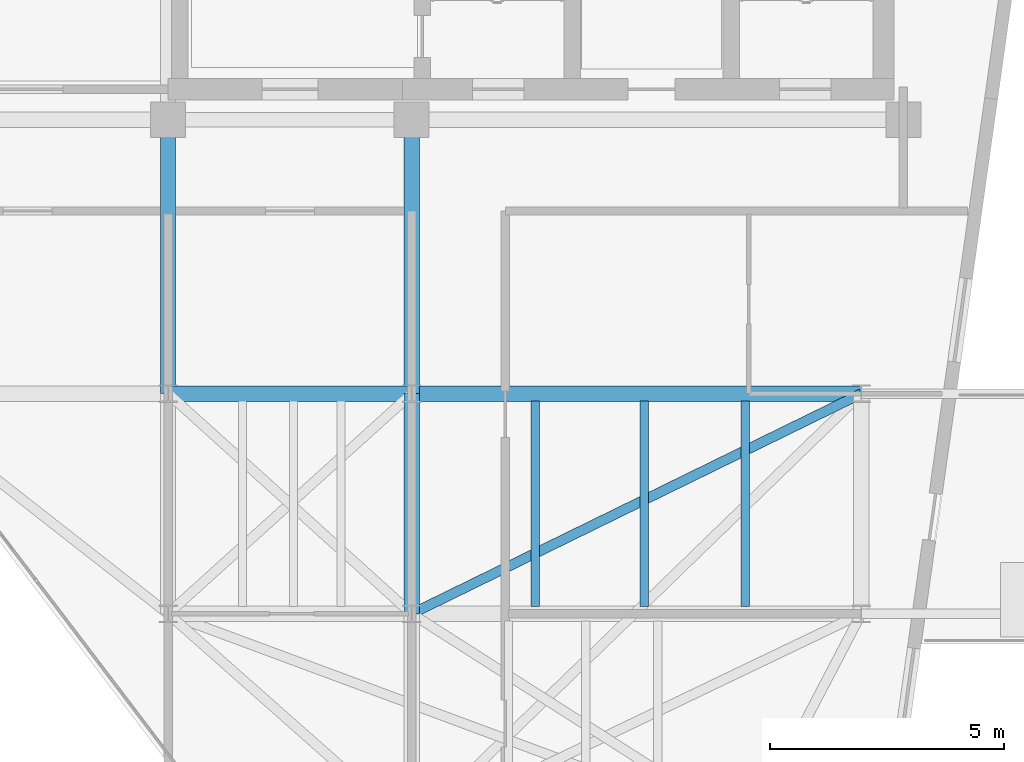
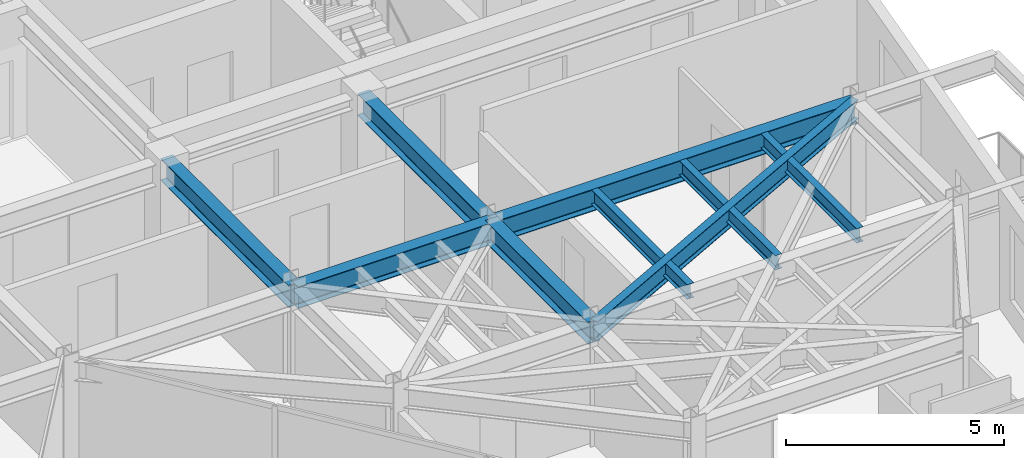
# One storey, part 9 of 17: 9 beams.
"""IFC4 building model written with IfcOpenShell, lengths in metres."""

from ifc_helpers import new_model, si_unit, direction, frame, origin, origin_2d, place, context, subcontext, project, spatial, i_section, extrude, material, material_profile, profile_set, type_object, element, save


model = new_model("IFC4")

# Units and contexts
model_context = context("Model", 3, precision=1e-05, world=origin(), true_north=direction((0.0, 1.0)))
body_context = subcontext(model_context, "Body", "Model", "MODEL_VIEW")
ifc_project = project(units=[si_unit("LENGTHUNIT", "METRE"), si_unit("AREAUNIT", "SQUARE_METRE"), si_unit("VOLUMEUNIT", "CUBIC_METRE"), si_unit("PLANEANGLEUNIT", "RADIAN"), si_unit("MASSUNIT", "GRAM", prefix="KILO")], contexts=[model_context])

# Site, building, storey
site_placement = place(None, origin())
site = spatial("IfcSite", under=ifc_project, at=site_placement, CompositionType="ELEMENT")
building_placement = place(site_placement, origin())
building = spatial("IfcBuilding", under=site, at=building_placement, Name="Kravanh Interchange Tower", CompositionType="ELEMENT")
storey_placement = place(building_placement, frame((0.0, 0.0, 285.89990234375)))
storey = spatial("IfcBuildingStorey", under=building, at=storey_placement, Name="L70", CompositionType="ELEMENT", Elevation=285.89990234375)

# Beams
ifc_material_1 = material(Name="Structural Steel S355", Category="steel")
ifc_material_profile_1 = material_profile(ifc_material_1, i_section(OverallWidth=0.323974609375, OverallDepth=0.611083984375, WebThickness=0.0126953125, FlangeThickness=0.01904296875, FilletRadius=0.02197265625, at=origin_2d()), Name="W24X104")
ifc_profile_set_1 = profile_set([ifc_material_profile_1], Name="Structural Steel S355")
beam_type_1 = type_object("IfcBeamType", Name="Floor Beam W24X104 Structural Steel S355", PredefinedType="BEAM", material=ifc_profile_set_1)
beam_1_placement = place(storey_placement, frame((50.800048828125, 31.5, 3.0595703125), z_axis=(1.0, 0.0, 0.0), x_axis=(0.0, 1.0, 0.0)))
element("IfcBeam", 1, at=beam_1_placement, inside=storey, type_object=beam_type_1, Name="L70 Primary Floor Girder 6", PredefinedType="BEAM", context=body_context, shape_type="SweptSolid", body=[
    extrude(i_section(OverallWidth=0.323974609375, OverallDepth=0.611083984375, WebThickness=0.0126953125, FlangeThickness=0.01904296875, FilletRadius=0.02197265625, at=origin_2d()), origin(), (0.0, 0.0, 1.0), 5.199951171875),
])
beam_2_placement = place(storey_placement, frame((50.800048828125, 31.5, 3.0595703125), z_axis=(0.0, 1.0, 0.0), x_axis=(-1.0, 0.0, 0.0)))
element("IfcBeam", 2, at=beam_2_placement, inside=storey, type_object=beam_type_1, Name="L70 Primary Floor Girder 7", PredefinedType="BEAM", context=body_context, shape_type="SweptSolid", body=[
    extrude(i_section(OverallWidth=0.323974609375, OverallDepth=0.611083984375, WebThickness=0.0126953125, FlangeThickness=0.01904296875, FilletRadius=0.02197265625, at=origin_2d()), origin(), (0.0, 0.0, 1.0), 5.85009765625),
])
beam_3_placement = place(storey_placement, frame((56.0, 31.5, 3.0595703125), z_axis=(0.0, -1.0, 0.0), x_axis=(1.0, 0.0, 0.0)))
element("IfcBeam", 3, at=beam_3_placement, inside=storey, type_object=beam_type_1, Name="L70 Primary Floor Girder 9", PredefinedType="BEAM", context=body_context, shape_type="SweptSolid", body=[
    extrude(i_section(OverallWidth=0.323974609375, OverallDepth=0.611083984375, WebThickness=0.0126953125, FlangeThickness=0.01904296875, FilletRadius=0.02197265625, at=origin_2d()), origin(), (0.0, 0.0, 1.0), 4.699951171875),
])
beam_4_placement = place(storey_placement, frame((56.0, 31.5, 3.0595703125), z_axis=(0.0, 1.0, 0.0), x_axis=(-1.0, 0.0, 0.0)))
element("IfcBeam", 4, at=beam_4_placement, inside=storey, type_object=beam_type_1, Name="L70 Primary Floor Girder 10", PredefinedType="BEAM", context=body_context, shape_type="SweptSolid", body=[
    extrude(i_section(OverallWidth=0.323974609375, OverallDepth=0.611083984375, WebThickness=0.0126953125, FlangeThickness=0.01904296875, FilletRadius=0.02197265625, at=origin_2d()), origin(), (0.0, 0.0, 1.0), 5.85009765625),
])
beam_5_placement = place(storey_placement, frame((56.0, 31.5, 3.0595703125), z_axis=(1.0, 0.0, 0.0), x_axis=(0.0, 1.0, 0.0)))
element("IfcBeam", 5, at=beam_5_placement, inside=storey, type_object=beam_type_1, Name="L70 Primary Floor Girder 12", PredefinedType="BEAM", context=body_context, shape_type="SweptSolid", body=[
    extrude(i_section(OverallWidth=0.323974609375, OverallDepth=0.611083984375, WebThickness=0.0126953125, FlangeThickness=0.01904296875, FilletRadius=0.02197265625, at=origin_2d()), origin(), (0.0, 0.0, 1.0), 9.60009765625),
])
ifc_material_2 = material(Name="Structural Steel S355", Category="steel")
ifc_material_profile_2 = material_profile(ifc_material_2, i_section(OverallWidth=0.177978515625, OverallDepth=0.406005859375, WebThickness=0.0078125, FlangeThickness=0.0126953125, FilletRadius=0.01611328125, at=origin_2d()), Name="W16X40")
ifc_profile_set_2 = profile_set([ifc_material_profile_2], Name="Structural Steel S355")
beam_type_2 = type_object("IfcBeamType", Name="Floor Joist W16X40 Structural Steel S355", PredefinedType="JOIST", material=ifc_profile_set_2)
for number, where, z_axis, x_axis, name in (
    (6, (58.64208984375, 26.95703125, 3.162109375), (0.0, 1.0, 0.0), (-1.0, 0.0, 0.0), "L70 Secondary Floor Joist 10"),
    (7, (60.966064453125, 26.95703125, 3.162109375), (0.0, 1.0, 0.0), (-1.0, 0.0, 0.0), "L70 Secondary Floor Joist 11"),
    (8, (63.1240234375, 26.95703125, 3.162109375), (0.0, 1.0, 0.0), (-1.0, 0.0, 0.0), "L70 Secondary Floor Joist 12"),
):
    element("IfcBeam", number, at=place(storey_placement, frame(where, z_axis=z_axis, x_axis=x_axis)), inside=storey, type_object=beam_type_2, Name=name, PredefinedType="JOIST", context=body_context, shape_type="SweptSolid", body=[
        extrude(i_section(OverallWidth=0.177978515625, OverallDepth=0.406005859375, WebThickness=0.0078125, FlangeThickness=0.0126953125, FilletRadius=0.01611328125, at=origin_2d()), origin(), (0.0, 0.0, 1.0), 4.385986328125),
    ])
ifc_material_3 = material(Name="Structural Steel S355", Category="steel")
ifc_material_profile_3 = material_profile(ifc_material_3, i_section(OverallWidth=0.2099609375, OverallDepth=0.537109375, WebThickness=0.010986328125, FlangeThickness=0.017333984375, FilletRadius=0.02001953125, at=origin_2d()), Name="W21X68")
ifc_profile_set_3 = profile_set([ifc_material_profile_3], Name="Structural Steel S355")
beam_type_3 = type_object("IfcBeamType", Name="Floor Spandrel W21X68 Structural Steel S355", PredefinedType="SPANDREL", material=ifc_profile_set_3)
beam_6_placement = place(storey_placement, frame((65.60009765625, 31.5, 3.0966796875), z_axis=(-0.898141688387, -0.439706160499, 0.0), x_axis=(0.439706160499, -0.898141688387, 0.0)))
element("IfcBeam", 9, at=beam_6_placement, inside=storey, type_object=beam_type_3, Name="L70 Perimeter Spandrel 15", PredefinedType="SPANDREL", context=body_context, shape_type="SweptSolid", body=[
    extrude(i_section(OverallWidth=0.2099609375, OverallDepth=0.537109375, WebThickness=0.010986328125, FlangeThickness=0.017333984375, FilletRadius=0.02001953125, at=origin_2d()), origin(), (0.0, 0.0, 1.0), 10.68896484375),
])

save(model, "model.ifc")
